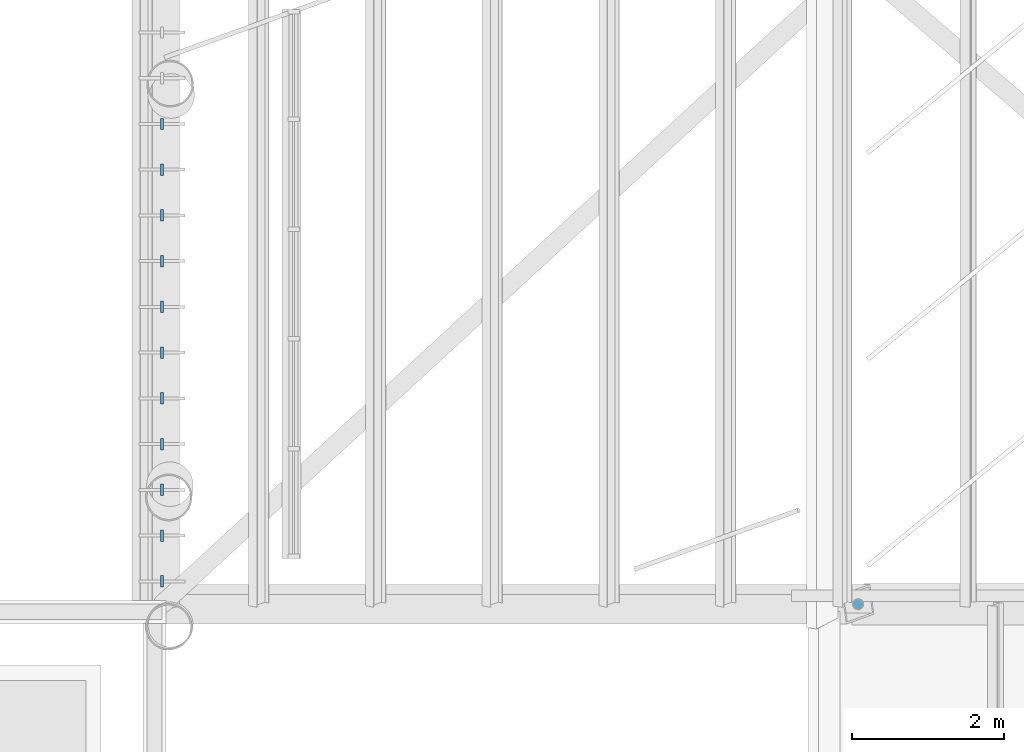
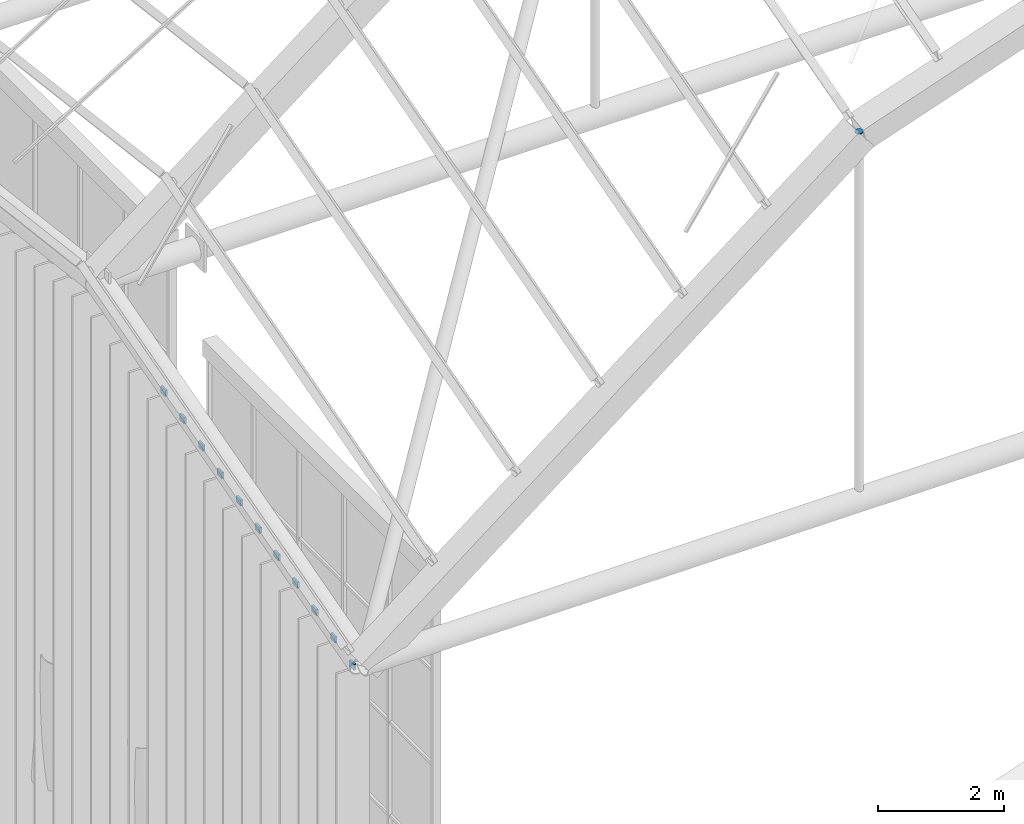
# One storey, part 87 of 126: 12 discrete accessories.
"""IFC4 building model written with IfcOpenShell, lengths in metres."""

import ifcopenshell
import ifcopenshell.guid

model = None  # the IFC model being written
_history = None  # IfcOwnerHistory: only IFC2X3 demands one
_inside = {}  # id of a spatial element -> (the spatial element, [elements in it])
_under = {}  # id of a project, library or spatial element -> (it, [spatial elements below it])
_declared = {}  # id of a project -> (the project, [libraries it declares])
_typed = {}  # id of a type object -> (the type object, [elements of that type])
_made_of = {}  # id of a material, layer set ... -> (it, [elements and type objects made of it])


def new_model(schema):
    """Start an empty IFC model of exactly this schema.

    Asked for "IFC4X3", IfcOpenShell would pick the latest addendum, in which some entities
    have other attributes; the version numbers below select the first issue.
    IFC2X3 requires an IfcOwnerHistory on every rooted entity: one is made here for all.
    """
    global model, _history
    if schema == "IFC4X3":
        model = ifcopenshell.file(schema_version=(4, 3, 0, 0))
    else:
        model = ifcopenshell.file(schema=schema)
    _inside.clear()
    _under.clear()
    _declared.clear()
    _typed.clear()
    _made_of.clear()
    _history = None
    if model.schema == "IFC2X3":
        org = make("IfcOrganization", Name="unknown")
        user = make(
            "IfcPersonAndOrganization",
            ThePerson=make("IfcPerson", FamilyName="unknown"),
            TheOrganization=org,
        )
        app = make(
            "IfcApplication",
            ApplicationDeveloper=org,
            Version="unknown",
            ApplicationFullName="unknown",
            ApplicationIdentifier="unknown",
        )
        _history = make(
            "IfcOwnerHistory",
            OwningUser=user,
            OwningApplication=app,
            ChangeAction="ADDED",
            CreationDate=0,
        )
    return model


def make(cls, **values):
    """One entity of the class cls with the attributes given. An attribute that is None is left unset."""
    return model.create_entity(
        cls, **{name: value for name, value in values.items() if value is not None}
    )


def rooted(cls, **values):
    """An entity with a GlobalId (a new one), such as an element, a storey or a relation."""
    return make(cls, GlobalId=ifcopenshell.guid.new(), OwnerHistory=_history, **values)


def si_unit(unit_type, name, prefix=None):
    """IfcSIUnit, for example si_unit("LENGTHUNIT", "METRE", prefix="MILLI")."""
    return make("IfcSIUnit", UnitType=unit_type, Prefix=prefix, Name=name)


def assignment(units):
    """IfcUnitAssignment: the units of a project."""
    return None if units is None else make("IfcUnitAssignment", Units=units)


def point(xyz):
    """IfcCartesianPoint."""
    return None if xyz is None else make("IfcCartesianPoint", Coordinates=xyz)


def direction(xyz):
    """IfcDirection."""
    return None if xyz is None else make("IfcDirection", DirectionRatios=xyz)


def frame(location, z_axis=None, x_axis=None):
    """IfcAxis2Placement3D, a coordinate frame: its origin and axes. An axis left out is left unset."""
    return make(
        "IfcAxis2Placement3D",
        Location=point(location),
        Axis=direction(z_axis),
        RefDirection=direction(x_axis),
    )


def frame_2d(location, x_axis=None):
    """IfcAxis2Placement2D, a coordinate frame in the plane: its origin and x axis."""
    return make(
        "IfcAxis2Placement2D", Location=point(location), RefDirection=direction(x_axis)
    )


def origin():
    """The frame at (0, 0, 0) with its axes left unset."""
    return frame((0.0, 0.0, 0.0))


def origin_2d():
    """The frame at (0, 0) in the plane with its x axis left unset."""
    return frame_2d((0.0, 0.0))


def place(relative_to, where):
    """IfcLocalPlacement: puts the frame where relative to a parent placement (None: the world)."""
    return make(
        "IfcLocalPlacement", PlacementRelTo=relative_to, RelativePlacement=where
    )


def context(
    kind, dimensions, precision=None, world=None, true_north=None, identifier=None
):
    """IfcGeometricRepresentationContext, for example the 3D "Model" context."""
    return make(
        "IfcGeometricRepresentationContext",
        ContextIdentifier=identifier,
        ContextType=kind,
        CoordinateSpaceDimension=dimensions,
        Precision=precision,
        WorldCoordinateSystem=world,
        TrueNorth=true_north,
    )


def subcontext(parent, identifier, kind, view, scale=None):
    """IfcGeometricRepresentationSubContext, for example "Body" below "Model"."""
    return make(
        "IfcGeometricRepresentationSubContext",
        ContextIdentifier=identifier,
        ContextType=kind,
        ParentContext=parent,
        TargetScale=scale,
        TargetView=view,
    )


def project(units=None, contexts=None):
    """IfcProject with its units and contexts."""
    return rooted(
        "IfcProject",
        Name="project",
        RepresentationContexts=contexts,
        UnitsInContext=assignment(units),
    )


def spatial(cls, under=None, at=None, **own):
    """A site, building, storey or space (cls), placed at a placement, below another one or the project."""
    s = rooted(cls, ObjectPlacement=at, **own)
    if under is not None:
        _under.setdefault(under.id(), (under, []))[1].append(s)
    return s


def profile(cls, at=None, kind="AREA", **sizes):
    """A parametric profile (cls). Its sizes go by their IFC names, for example OverallWidth=200.0."""
    return make(cls, ProfileType=kind, Position=at, **sizes)


def rectangle(**sizes):
    """IfcRectangleProfileDef."""
    return profile("IfcRectangleProfileDef", **sizes)


def circle(**sizes):
    """IfcCircleProfileDef."""
    return profile("IfcCircleProfileDef", **sizes)


def extrude(swept, where, along, depth):
    """IfcExtrudedAreaSolid: the profile swept, set in the frame where, extruded along a direction by depth."""
    return make(
        "IfcExtrudedAreaSolid",
        SweptArea=swept,
        Position=where,
        ExtrudedDirection=direction(along),
        Depth=depth,
    )


def shape(context_of_items, identifier, shape_type, items):
    """IfcShapeRepresentation: the items that make up one representation, for example the "Body"."""
    return make(
        "IfcShapeRepresentation",
        ContextOfItems=context_of_items,
        RepresentationIdentifier=identifier,
        RepresentationType=shape_type,
        Items=items,
    )


def material(Name=None, Category=None):
    """IfcMaterial."""
    return make("IfcMaterial", Name=Name, Category=Category)


def layer(
    of_material, thickness, ventilated=None, Name=None, Category=None, Priority=None
):
    """IfcMaterialLayer: one layer of a wall or slab, of a material (None: an air gap)."""
    return make(
        "IfcMaterialLayer",
        Material=of_material,
        LayerThickness=thickness,
        IsVentilated=ventilated,
        Name=Name,
        Category=Category,
        Priority=Priority,
    )


def layer_set(layers, Name=None):
    """IfcMaterialLayerSet."""
    return make("IfcMaterialLayerSet", MaterialLayers=layers, LayerSetName=Name)


def material_profile(
    of_material, cross_section, Name=None, Category=None, Priority=None
):
    """IfcMaterialProfile: a cross section and its material."""
    return make(
        "IfcMaterialProfile",
        Name=Name,
        Material=of_material,
        Profile=cross_section,
        Priority=Priority,
        Category=Category,
    )


def profile_set(profiles, Name=None, composite=None):
    """IfcMaterialProfileSet."""
    return make(
        "IfcMaterialProfileSet",
        Name=Name,
        MaterialProfiles=profiles,
        CompositeProfile=composite,
    )


def made_of(thing, what):
    """Note that an element or type object is made of a material, layer set ...; save() writes the relation."""
    if what is not None:
        _made_of.setdefault(what.id(), (what, []))[1].append(thing)
    return thing


def type_object(cls, material=None, **own):
    """A type object (cls), such as IfcWallType, which elements share."""
    return made_of(rooted(cls, **own), material)


def element(
    cls,
    number,
    at=None,
    inside=None,
    cuts=None,
    type_object=None,
    material=None,
    context=None,
    identifier="Body",
    shape_type=None,
    held_by="IfcProductDefinitionShape",
    body=None,
    shapes=None,
    **own,
):
    """One element of the class cls, such as IfcWall. Its Tag is "e" and its number.

    at: its placement. inside: the storey or other place that contains it. cuts: it is an
    opening in that element (IfcRelVoidsElement). A single representation is given by context,
    identifier, shape_type and body (its items); several are given by shapes. held_by: the class
    of the entity that holds the representations. save() writes the other relations.
    """
    e = rooted(cls, Tag="e%d" % number, ObjectPlacement=at, **own)
    if body is not None:
        shapes = [shape(context, identifier, shape_type, body)]
    if shapes is not None:
        e.Representation = make(held_by, Representations=shapes)
    if inside is not None:
        _inside.setdefault(inside.id(), (inside, []))[1].append(e)
    if cuts is not None:
        rooted(
            "IfcRelVoidsElement", RelatingBuildingElement=cuts, RelatedOpeningElement=e
        )
    if type_object is not None:
        _typed.setdefault(type_object.id(), (type_object, []))[1].append(e)
    return made_of(e, material)


def aggregate(whole, parts):
    """IfcRelAggregates: a whole, such as a stair, and the parts it consists of."""
    return rooted("IfcRelAggregates", RelatingObject=whole, RelatedObjects=parts)


def save(model, path):
    """Write the relations noted so far, then the file.

    IfcRelAggregates (storeys below a building ...), IfcRelContainedInSpatialStructure (elements
    in a storey), IfcRelDefinesByType, IfcRelAssociatesMaterial and IfcRelDeclares: one each for
    every whole, place, type object, material and project.
    """
    for whole, parts in _under.values():
        aggregate(whole, parts)
    for where, things in _inside.values():
        rooted(
            "IfcRelContainedInSpatialStructure",
            RelatedElements=things,
            RelatingStructure=where,
        )
    for kind, things in _typed.values():
        rooted("IfcRelDefinesByType", RelatedObjects=things, RelatingType=kind)
    for what, things in _made_of.values():
        rooted("IfcRelAssociatesMaterial", RelatedObjects=things, RelatingMaterial=what)
    for by, libraries in _declared.values():
        rooted("IfcRelDeclares", RelatingContext=by, RelatedDefinitions=libraries)
    model.write(path)


model = new_model("IFC4")

# Units and contexts
model_context = context("Model", 3, precision=1e-05, world=origin(), true_north=direction((0.0, 1.0)))
body_context = subcontext(model_context, "Body", "Model", "MODEL_VIEW")
ifc_project = project(units=[si_unit("LENGTHUNIT", "METRE"), si_unit("AREAUNIT", "SQUARE_METRE"), si_unit("VOLUMEUNIT", "CUBIC_METRE"), si_unit("PLANEANGLEUNIT", "RADIAN"), si_unit("MASSUNIT", "GRAM", prefix="KILO")], contexts=[model_context])

# Site, building, storey
site_placement = place(None, origin())
site = spatial("IfcSite", under=ifc_project, at=site_placement, CompositionType="ELEMENT")
building_placement = place(site_placement, origin())
building = spatial("IfcBuilding", under=site, at=building_placement, Name="Sava Quay Ferry Terminal", CompositionType="ELEMENT")
storey_placement = place(building_placement, frame((0.0, 0.0, 15.0)))
storey = spatial("IfcBuildingStorey", under=building, at=storey_placement, Name="L03", CompositionType="ELEMENT", Elevation=15.0)

# Discrete accessories
ifc_material_1 = material(Name="Steel S355 galvanised", Category="steel")
ifc_layer = layer(ifc_material_1, 0.0400390625)
ifc_layer_set = layer_set([ifc_layer], Name="Steel S355 galvanised")
discrete_accessory_type_1 = type_object("IfcDiscreteAccessoryType", Name="Blade bracket flat 40x150", PredefinedType="BRACKET", material=ifc_layer_set)
for number, where, z_axis, x_axis, name in (
    (1, (42.0, 50.699951171875, 8.1357421875), (0.0, 0.0, 1.0), (1.0, 0.0, 0.0), "Blade bracket D-W 1"),
    (2, (42.0, 51.300048828125, 8.303955078125), (0.0, 0.0, 1.0), (1.0, 0.0, 0.0), "Blade bracket D-W 2"),
    (3, (42.0, 51.89990234375, 8.472412109375), (0.0, 0.0, 1.0), (1.0, 0.0, 0.0), "Blade bracket D-W 3"),
    (4, (42.0, 52.5, 8.640625), (0.0, 0.0, 1.0), (1.0, 0.0, 0.0), "Blade bracket D-W 4"),
    (5, (42.0, 53.10009765625, 8.80908203125), (0.0, 0.0, 1.0), (1.0, 0.0, 0.0), "Blade bracket D-W 5"),
    (6, (42.0, 53.699951171875, 8.977294921875), (0.0, 0.0, 1.0), (1.0, 0.0, 0.0), "Blade bracket D-W 6"),
    (7, (42.0, 54.300048828125, 9.145751953125), (0.0, 0.0, 1.0), (1.0, 0.0, 0.0), "Blade bracket D-W 7"),
    (8, (42.0, 54.89990234375, 9.314208984375), (0.0, 0.0, 1.0), (1.0, 0.0, 0.0), "Blade bracket D-W 8"),
    (9, (42.0, 55.5, 9.482421875), (0.0, 0.0, 1.0), (1.0, 0.0, 0.0), "Blade bracket D-W 9"),
    (10, (42.0, 56.10009765625, 9.65087890625), (0.0, 0.0, 1.0), (1.0, 0.0, 0.0), "Blade bracket D-W 10"),
    (11, (42.0, 56.699951171875, 9.819091796875), (0.0, 0.0, 1.0), (1.0, 0.0, 0.0), "Blade bracket D-W 11"),
):
    element("IfcDiscreteAccessory", number, at=place(storey_placement, frame(where, z_axis=z_axis, x_axis=x_axis)), inside=storey, type_object=discrete_accessory_type_1, Name=name, PredefinedType="BRACKET", context=body_context, shape_type="SweptSolid", body=[
        extrude(rectangle(XDim=0.0400390625, YDim=0.14990234375, at=origin_2d()), origin(), (0.0, 0.0, 1.0), 0.1201171875),
    ])
ifc_material_2 = material(Name="Steel S355", Category="steel")
ifc_material_profile = material_profile(ifc_material_2, circle(Radius=0.06982421875, at=origin_2d()), Name="Plate 139.7 dia x 20")
ifc_profile_set = profile_set([ifc_material_profile], Name="Steel S355")
discrete_accessory_type_2 = type_object("IfcDiscreteAccessoryType", Name="Tube end plate 139.7", PredefinedType="ANCHORPLATE", material=ifc_profile_set)
discrete_accessory_placement = place(storey_placement, frame((51.1298828125, 50.39990234375, 15.533203125), z_axis=(0.0, 0.0, 1.0), x_axis=(1.0, 0.0, 0.0)))
element("IfcDiscreteAccessory", 12, at=discrete_accessory_placement, inside=storey, type_object=discrete_accessory_type_2, Name="End plate Departure hall tie hanger R0 V1", PredefinedType="ANCHORPLATE", context=body_context, shape_type="SweptSolid", body=[
    extrude(circle(Radius=0.06982421875, at=origin_2d()), origin(), (0.0, 0.0, 1.0), 0.02001953125),
])

save(model, "model.ifc")
